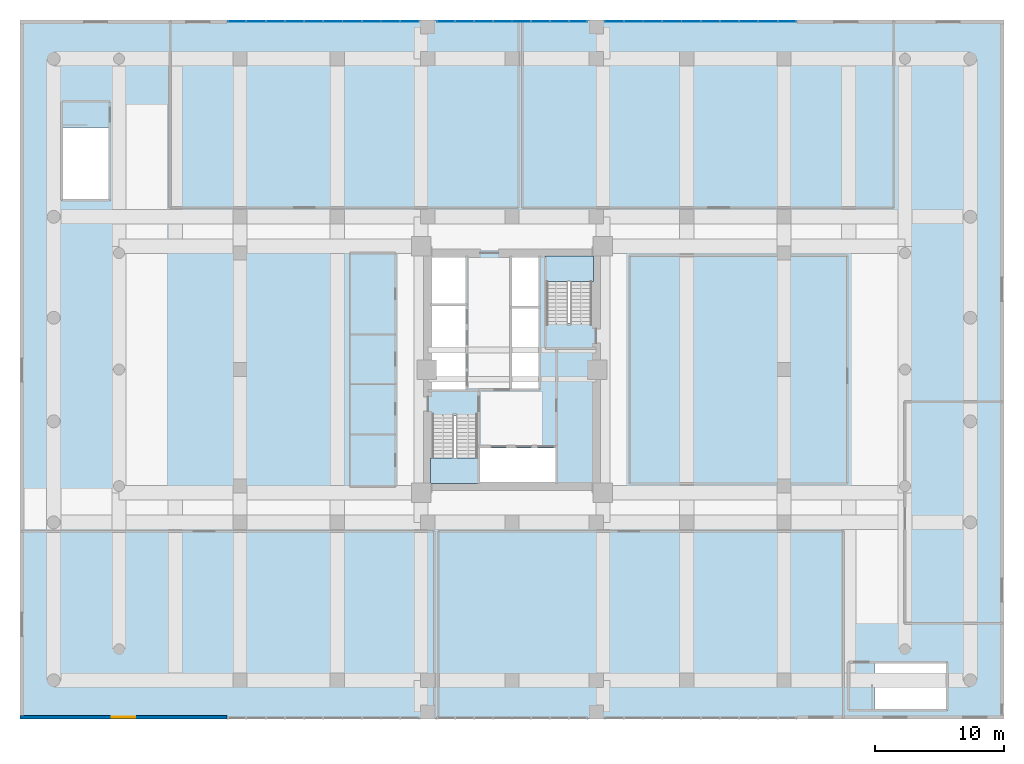
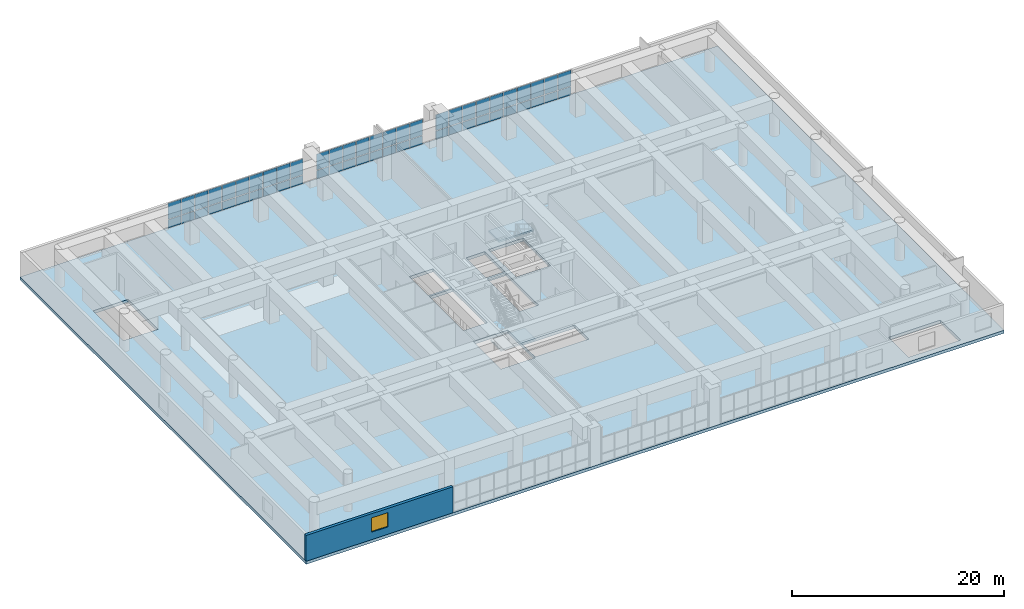
# One storey, part 17 of 28: 56 plates, 3 slabs, 1 wall, 1 window, 1 opening, 5 elements without a shape of their own.
"""IFC4 building model written with IfcOpenShell, lengths in metres."""

import ifcopenshell
import ifcopenshell.guid

model = None  # the IFC model being written
_history = None  # IfcOwnerHistory: only IFC2X3 demands one
_inside = {}  # id of a spatial element -> (the spatial element, [elements in it])
_under = {}  # id of a project, library or spatial element -> (it, [spatial elements below it])
_declared = {}  # id of a project -> (the project, [libraries it declares])
_typed = {}  # id of a type object -> (the type object, [elements of that type])
_made_of = {}  # id of a material, layer set ... -> (it, [elements and type objects made of it])


def new_model(schema):
    """Start an empty IFC model of exactly this schema.

    Asked for "IFC4X3", IfcOpenShell would pick the latest addendum, in which some entities
    have other attributes; the version numbers below select the first issue.
    IFC2X3 requires an IfcOwnerHistory on every rooted entity: one is made here for all.
    """
    global model, _history
    if schema == "IFC4X3":
        model = ifcopenshell.file(schema_version=(4, 3, 0, 0))
    else:
        model = ifcopenshell.file(schema=schema)
    _inside.clear()
    _under.clear()
    _declared.clear()
    _typed.clear()
    _made_of.clear()
    _history = None
    if model.schema == "IFC2X3":
        org = make("IfcOrganization", Name="unknown")
        user = make(
            "IfcPersonAndOrganization",
            ThePerson=make("IfcPerson", FamilyName="unknown"),
            TheOrganization=org,
        )
        app = make(
            "IfcApplication",
            ApplicationDeveloper=org,
            Version="unknown",
            ApplicationFullName="unknown",
            ApplicationIdentifier="unknown",
        )
        _history = make(
            "IfcOwnerHistory",
            OwningUser=user,
            OwningApplication=app,
            ChangeAction="ADDED",
            CreationDate=0,
        )
    return model


def make(cls, **values):
    """One entity of the class cls with the attributes given. An attribute that is None is left unset."""
    return model.create_entity(
        cls, **{name: value for name, value in values.items() if value is not None}
    )


def rooted(cls, **values):
    """An entity with a GlobalId (a new one), such as an element, a storey or a relation."""
    return make(cls, GlobalId=ifcopenshell.guid.new(), OwnerHistory=_history, **values)


def si_unit(unit_type, name, prefix=None):
    """IfcSIUnit, for example si_unit("LENGTHUNIT", "METRE", prefix="MILLI")."""
    return make("IfcSIUnit", UnitType=unit_type, Prefix=prefix, Name=name)


def assignment(units):
    """IfcUnitAssignment: the units of a project."""
    return None if units is None else make("IfcUnitAssignment", Units=units)


def point(xyz):
    """IfcCartesianPoint."""
    return None if xyz is None else make("IfcCartesianPoint", Coordinates=xyz)


def direction(xyz):
    """IfcDirection."""
    return None if xyz is None else make("IfcDirection", DirectionRatios=xyz)


def frame(location, z_axis=None, x_axis=None):
    """IfcAxis2Placement3D, a coordinate frame: its origin and axes. An axis left out is left unset."""
    return make(
        "IfcAxis2Placement3D",
        Location=point(location),
        Axis=direction(z_axis),
        RefDirection=direction(x_axis),
    )


def frame_2d(location, x_axis=None):
    """IfcAxis2Placement2D, a coordinate frame in the plane: its origin and x axis."""
    return make(
        "IfcAxis2Placement2D", Location=point(location), RefDirection=direction(x_axis)
    )


def origin():
    """The frame at (0, 0, 0) with its axes left unset."""
    return frame((0.0, 0.0, 0.0))


def origin_2d():
    """The frame at (0, 0) in the plane with its x axis left unset."""
    return frame_2d((0.0, 0.0))


def place(relative_to, where):
    """IfcLocalPlacement: puts the frame where relative to a parent placement (None: the world)."""
    return make(
        "IfcLocalPlacement", PlacementRelTo=relative_to, RelativePlacement=where
    )


def context(
    kind, dimensions, precision=None, world=None, true_north=None, identifier=None
):
    """IfcGeometricRepresentationContext, for example the 3D "Model" context."""
    return make(
        "IfcGeometricRepresentationContext",
        ContextIdentifier=identifier,
        ContextType=kind,
        CoordinateSpaceDimension=dimensions,
        Precision=precision,
        WorldCoordinateSystem=world,
        TrueNorth=true_north,
    )


def subcontext(parent, identifier, kind, view, scale=None):
    """IfcGeometricRepresentationSubContext, for example "Body" below "Model"."""
    return make(
        "IfcGeometricRepresentationSubContext",
        ContextIdentifier=identifier,
        ContextType=kind,
        ParentContext=parent,
        TargetScale=scale,
        TargetView=view,
    )


def project(units=None, contexts=None):
    """IfcProject with its units and contexts."""
    return rooted(
        "IfcProject",
        Name="project",
        RepresentationContexts=contexts,
        UnitsInContext=assignment(units),
    )


def spatial(cls, under=None, at=None, **own):
    """A site, building, storey or space (cls), placed at a placement, below another one or the project."""
    s = rooted(cls, ObjectPlacement=at, **own)
    if under is not None:
        _under.setdefault(under.id(), (under, []))[1].append(s)
    return s


def polyline(points):
    """IfcPolyline through the points."""
    return make("IfcPolyline", Points=[point(p) for p in points])


def profile(cls, at=None, kind="AREA", **sizes):
    """A parametric profile (cls). Its sizes go by their IFC names, for example OverallWidth=200.0."""
    return make(cls, ProfileType=kind, Position=at, **sizes)


def rectangle(**sizes):
    """IfcRectangleProfileDef."""
    return profile("IfcRectangleProfileDef", **sizes)


def outline(outer, holes=None, kind="AREA"):
    """IfcArbitraryClosedProfileDef: a profile drawn as a closed curve; with holes, ...WithVoids."""
    if holes is None:
        return make("IfcArbitraryClosedProfileDef", ProfileType=kind, OuterCurve=outer)
    return make(
        "IfcArbitraryProfileDefWithVoids",
        ProfileType=kind,
        OuterCurve=outer,
        InnerCurves=holes,
    )


def extrude(swept, where, along, depth):
    """IfcExtrudedAreaSolid: the profile swept, set in the frame where, extruded along a direction by depth."""
    return make(
        "IfcExtrudedAreaSolid",
        SweptArea=swept,
        Position=where,
        ExtrudedDirection=direction(along),
        Depth=depth,
    )


def shape(context_of_items, identifier, shape_type, items):
    """IfcShapeRepresentation: the items that make up one representation, for example the "Body"."""
    return make(
        "IfcShapeRepresentation",
        ContextOfItems=context_of_items,
        RepresentationIdentifier=identifier,
        RepresentationType=shape_type,
        Items=items,
    )


def source(mapping_origin, context_of_items, identifier, shape_type, items):
    """IfcRepresentationMap: a shape defined once, which mapped items show again and again."""
    return make(
        "IfcRepresentationMap",
        MappingOrigin=mapping_origin,
        MappedRepresentation=shape(context_of_items, identifier, shape_type, items),
    )


def transform(
    local_origin,
    x_axis=None,
    y_axis=None,
    z_axis=None,
    scale=None,
    scale2=None,
    scale3=None,
    uniform=True,
):
    """IfcCartesianTransformationOperator3D, or its non-uniform kind. x_axis, y_axis, z_axis: its Axis1, 2, 3."""
    if uniform:
        return make(
            "IfcCartesianTransformationOperator3D",
            Axis1=direction(x_axis),
            Axis2=direction(y_axis),
            LocalOrigin=point(local_origin),
            Scale=scale,
            Axis3=direction(z_axis),
        )
    return make(
        "IfcCartesianTransformationOperator3DnonUniform",
        Axis1=direction(x_axis),
        Axis2=direction(y_axis),
        LocalOrigin=point(local_origin),
        Scale=scale,
        Axis3=direction(z_axis),
        Scale2=scale2,
        Scale3=scale3,
    )


def mapped(mapping_source, mapping_target):
    """IfcMappedItem: shows the shape of a source again, moved by a transform."""
    return make(
        "IfcMappedItem", MappingSource=mapping_source, MappingTarget=mapping_target
    )


def material(Name=None, Category=None):
    """IfcMaterial."""
    return make("IfcMaterial", Name=Name, Category=Category)


def layer(
    of_material, thickness, ventilated=None, Name=None, Category=None, Priority=None
):
    """IfcMaterialLayer: one layer of a wall or slab, of a material (None: an air gap)."""
    return make(
        "IfcMaterialLayer",
        Material=of_material,
        LayerThickness=thickness,
        IsVentilated=ventilated,
        Name=Name,
        Category=Category,
        Priority=Priority,
    )


def layer_set(layers, Name=None):
    """IfcMaterialLayerSet."""
    return make("IfcMaterialLayerSet", MaterialLayers=layers, LayerSetName=Name)


def made_of(thing, what):
    """Note that an element or type object is made of a material, layer set ...; save() writes the relation."""
    if what is not None:
        _made_of.setdefault(what.id(), (what, []))[1].append(thing)
    return thing


def type_object(cls, material=None, **own):
    """A type object (cls), such as IfcWallType, which elements share."""
    return made_of(rooted(cls, **own), material)


def element(
    cls,
    number,
    at=None,
    inside=None,
    cuts=None,
    type_object=None,
    material=None,
    context=None,
    identifier="Body",
    shape_type=None,
    held_by="IfcProductDefinitionShape",
    body=None,
    shapes=None,
    **own,
):
    """One element of the class cls, such as IfcWall. Its Tag is "e" and its number.

    at: its placement. inside: the storey or other place that contains it. cuts: it is an
    opening in that element (IfcRelVoidsElement). A single representation is given by context,
    identifier, shape_type and body (its items); several are given by shapes. held_by: the class
    of the entity that holds the representations. save() writes the other relations.
    """
    e = rooted(cls, Tag="e%d" % number, ObjectPlacement=at, **own)
    if body is not None:
        shapes = [shape(context, identifier, shape_type, body)]
    if shapes is not None:
        e.Representation = make(held_by, Representations=shapes)
    if inside is not None:
        _inside.setdefault(inside.id(), (inside, []))[1].append(e)
    if cuts is not None:
        rooted(
            "IfcRelVoidsElement", RelatingBuildingElement=cuts, RelatedOpeningElement=e
        )
    if type_object is not None:
        _typed.setdefault(type_object.id(), (type_object, []))[1].append(e)
    return made_of(e, material)


def fill(opening, filler):
    """IfcRelFillsElement: the door or window that sits in an opening."""
    return rooted(
        "IfcRelFillsElement",
        RelatingOpeningElement=opening,
        RelatedBuildingElement=filler,
    )


def aggregate(whole, parts):
    """IfcRelAggregates: a whole, such as a stair, and the parts it consists of."""
    return rooted("IfcRelAggregates", RelatingObject=whole, RelatedObjects=parts)


def save(model, path):
    """Write the relations noted so far, then the file.

    IfcRelAggregates (storeys below a building ...), IfcRelContainedInSpatialStructure (elements
    in a storey), IfcRelDefinesByType, IfcRelAssociatesMaterial and IfcRelDeclares: one each for
    every whole, place, type object, material and project.
    """
    for whole, parts in _under.values():
        aggregate(whole, parts)
    for where, things in _inside.values():
        rooted(
            "IfcRelContainedInSpatialStructure",
            RelatedElements=things,
            RelatingStructure=where,
        )
    for kind, things in _typed.values():
        rooted("IfcRelDefinesByType", RelatedObjects=things, RelatingType=kind)
    for what, things in _made_of.values():
        rooted("IfcRelAssociatesMaterial", RelatedObjects=things, RelatingMaterial=what)
    for by, libraries in _declared.values():
        rooted("IfcRelDeclares", RelatingContext=by, RelatedDefinitions=libraries)
    model.write(path)


model = new_model("IFC4")

# Units and contexts
model_context = context("Model", 3, precision=1e-05, world=origin(), true_north=direction((0.0, 1.0)))
body_context = subcontext(model_context, "Body", "Model", "MODEL_VIEW")
ifc_project = project(units=[si_unit("LENGTHUNIT", "METRE"), si_unit("AREAUNIT", "SQUARE_METRE"), si_unit("VOLUMEUNIT", "CUBIC_METRE"), si_unit("PLANEANGLEUNIT", "RADIAN"), si_unit("MASSUNIT", "GRAM", prefix="KILO")], contexts=[model_context])

# Site, building, storey
site_placement = place(None, origin())
site = spatial("IfcSite", under=ifc_project, at=site_placement, CompositionType="ELEMENT")
building_placement = place(site_placement, origin())
building = spatial("IfcBuilding", under=site, at=building_placement, Name="Saelheon Loggia Tower", CompositionType="ELEMENT")
storey_placement = place(building_placement, frame((0.0, 0.0, 15.0)))
storey = spatial("IfcBuildingStorey", under=building, at=storey_placement, Name="L04", CompositionType="ELEMENT", Elevation=15.0)

# Stair, slab
ifc_material_1 = material(Name="Concrete C40/50", Category="concrete")
stair_type = type_object("IfcStairType", Name="Stair_Escape_Core", PredefinedType="HALF_TURN_STAIR", material=ifc_material_1)
stair_1_placement = place(storey_placement, origin())
stair_1 = element("IfcStair", 1, at=stair_1_placement, inside=storey, type_object=stair_type, Name="L04 Special Escape Stair ST1", PredefinedType="HALF_TURN_STAIR")
ifc_layer_1 = layer(ifc_material_1, 0.199951171875)
ifc_layer_set_1 = layer_set([ifc_layer_1], Name="Concrete C40/50")
slab_type_1 = type_object("IfcSlabType", Name="Slab_StairLanding_ST1", PredefinedType="LANDING", material=ifc_layer_set_1)
slab_1_placement = place(storey_placement, frame((0.0, 0.0, 2.0)))
slab_1 = element("IfcSlab", 2, at=slab_1_placement, type_object=slab_type_1, Name="ST1 landing 1", PredefinedType="LANDING", context=body_context, shape_type="SweptSolid", body=[
    extrude(outline(polyline([(31.7099609375, 20.18994140625), (31.7099609375, 18.2099609375), (35.469970703125, 18.2099609375), (35.469970703125, 20.18994140625), (31.7099609375, 20.18994140625)])), origin(), (0.0, 0.0, 1.0), 0.199951171875),
])
aggregate(stair_1, [slab_1])

stair_2_placement = place(storey_placement, origin())
stair_2 = element("IfcStair", 3, at=stair_2_placement, inside=storey, type_object=stair_type, Name="L04 Special Escape Stair ST2", PredefinedType="HALF_TURN_STAIR")
ifc_layer_2 = layer(ifc_material_1, 0.199951171875)
ifc_layer_set_2 = layer_set([ifc_layer_2], Name="Concrete C40/50")
slab_type_2 = type_object("IfcSlabType", Name="Slab_StairLanding_ST2", PredefinedType="LANDING", material=ifc_layer_set_2)
slab_2_placement = place(storey_placement, frame((0.0, 0.0, 2.0)))
slab_2 = element("IfcSlab", 4, at=slab_2_placement, type_object=slab_type_2, Name="ST2 landing 1", PredefinedType="LANDING", context=body_context, shape_type="SweptSolid", body=[
    extrude(outline(polyline([(44.2900390625, 33.81005859375), (44.2900390625, 35.7900390625), (40.530029296875, 35.7900390625), (40.530029296875, 33.81005859375), (44.2900390625, 33.81005859375)])), origin(), (0.0, 0.0, 1.0), 0.199951171875),
])
aggregate(stair_2, [slab_2])

# Slab
ifc_material_2 = material(Name="Concrete C50/60", Category="concrete")
ifc_layer_3 = layer(ifc_material_2, 0.35009765625)
ifc_layer_set_3 = layer_set([ifc_layer_3], Name="Concrete C50/60")
slab_type_3 = type_object("IfcSlabType", Name="Slab_Transfer_350", PredefinedType="FLOOR", material=ifc_layer_set_3)
slab_3_placement = place(storey_placement, frame((0.0, 0.0, -0.35009765625)))
element("IfcSlab", 5, at=slab_3_placement, inside=storey, type_object=slab_type_3, Name="L04 Podium Clinic Floor Slab", PredefinedType="FLOOR", context=body_context, shape_type="SweptSolid", body=[
    extrude(outline(polyline([(0.0, 0.0), (76.0, 0.0), (76.0, 54.0), (0.0, 54.0), (0.0, 0.0)]), holes=[polyline([(31.699951171875, 23.409912109375), (31.699951171875, 18.199951171875), (35.47998046875, 18.199951171875), (35.47998046875, 23.409912109375), (31.699951171875, 23.409912109375)]), polyline([(44.300048828125, 30.590087890625), (44.300048828125, 35.800048828125), (40.52001953125, 35.800048828125), (40.52001953125, 30.590087890625), (44.300048828125, 30.590087890625)]), polyline([(3.199951171875, 45.7099609375), (3.199951171875, 40.050048828125), (6.97998046875, 40.050048828125), (6.97998046875, 45.7099609375), (3.199951171875, 45.7099609375)]), polyline([(65.989990234375, 0.64990234375), (71.64990234375, 0.64990234375), (71.64990234375, 4.429931640625), (65.989990234375, 4.429931640625), (65.989990234375, 0.64990234375)]), polyline([(35.530029296875, 18.324951171875), (41.35009765625, 18.324951171875), (41.35009765625, 20.9599609375), (35.530029296875, 20.9599609375), (35.530029296875, 18.324951171875)]), polyline([(31.824951171875, 32.1201171875), (34.419921875, 32.1201171875), (34.419921875, 35.675048828125), (31.824951171875, 35.675048828125), (31.824951171875, 32.1201171875)]), polyline([(38.0, 31.89990234375), (40.050048828125, 31.89990234375), (40.050048828125, 35.675048828125), (38.0, 35.675048828125), (38.0, 31.89990234375)]), polyline([(31.824951171875, 25.449951171875), (34.419921875, 25.449951171875), (34.419921875, 31.919921875), (31.824951171875, 31.919921875), (31.824951171875, 25.449951171875)]), polyline([(38.0, 25.5400390625), (40.050048828125, 25.5400390625), (40.050048828125, 31.699951171875), (38.0, 31.699951171875), (38.0, 25.5400390625)])]), origin(), (0.0, 0.0, 1.0), 0.35009765625),
])

# Curtain wall, plates
ifc_material_3 = material(Name="Aluminium 6063-T6 and Low-E IGU", Category="aluminium")
ifc_layer_4 = layer(ifc_material_3, 0.179931640625)
ifc_layer_set_4 = layer_set([ifc_layer_4], Name="Aluminium 6063-T6 and Low-E IGU")
curtain_wall_type = type_object("IfcCurtainWallType", Name="CW_PodiumClinic", PredefinedType="NOTDEFINED", material=ifc_layer_set_4)
curtain_wall_1_placement = place(storey_placement, origin())
curtain_wall_1 = element("IfcCurtainWall", 6, at=curtain_wall_1_placement, inside=storey, type_object=curtain_wall_type, Name="L04 North Clinic Curtain Wall 1", PredefinedType="NOTDEFINED")
ifc_material_4 = material(Name="Triple Low-E Laminated Glazing", Category="glass")
ifc_layer_5 = layer(ifc_material_4, 0.031982421875)
ifc_layer_set_5 = layer_set([ifc_layer_5], Name="Triple Low-E Laminated Glazing")
plate_type = type_object("IfcPlateType", Name="CW_PodiumClinic_Panel", PredefinedType="CURTAIN_PANEL", material=ifc_layer_set_5)
shared_shape_1 = source(origin(), body_context, "Body", "SweptSolid", [
    extrude(rectangle(XDim=1.3798828125, YDim=0.031982421875, at=origin_2d()), origin(), (0.0, 0.0, 1.0), 0.945068359375),
])
plate_1_placement = place(storey_placement, frame((16.760009765625, 53.89990234375, 0.06982421875), z_axis=(0.0, 0.0, 1.0), x_axis=(1.0, 0.0, 0.0)))
plate_1 = element("IfcPlate", 7, at=plate_1_placement, type_object=plate_type, Name="CW1 panel 1.1", PredefinedType="CURTAIN_PANEL", context=body_context, shape_type="MappedRepresentation", body=[
    mapped(shared_shape_1, transform((0.0, 0.0, 0.0), scale=1.0)),
])
plate_2_placement = place(storey_placement, frame((30.090087890625, 53.89990234375, 0.06982421875), z_axis=(0.0, 0.0, 1.0), x_axis=(1.0, 0.0, 0.0)))
plate_2 = element("IfcPlate", 8, at=plate_2_placement, type_object=plate_type, Name="CW1 panel 10.1", PredefinedType="CURTAIN_PANEL", context=body_context, shape_type="MappedRepresentation", body=[
    mapped(shared_shape_1, transform((0.0, 0.0, 0.0), scale=1.0)),
])

curtain_wall_2_placement = place(storey_placement, origin())
curtain_wall_2 = element("IfcCurtainWall", 9, at=curtain_wall_2_placement, inside=storey, type_object=curtain_wall_type, Name="L04 North Clinic Curtain Wall 3", PredefinedType="NOTDEFINED")
plate_3_placement = place(storey_placement, frame((45.909912109375, 53.89990234375, 0.06982421875), z_axis=(0.0, 0.0, 1.0), x_axis=(1.0, 0.0, 0.0)))
plate_3 = element("IfcPlate", 10, at=plate_3_placement, type_object=plate_type, Name="CW1 panel 1.1", PredefinedType="CURTAIN_PANEL", context=body_context, shape_type="MappedRepresentation", body=[
    mapped(shared_shape_1, transform((0.0, 0.0, 0.0), scale=1.0)),
])
plate_4_placement = place(storey_placement, frame((59.239990234375, 53.89990234375, 0.06982421875), z_axis=(0.0, 0.0, 1.0), x_axis=(1.0, 0.0, 0.0)))
plate_4 = element("IfcPlate", 11, at=plate_4_placement, type_object=plate_type, Name="CW1 panel 10.1", PredefinedType="CURTAIN_PANEL", context=body_context, shape_type="MappedRepresentation", body=[
    mapped(shared_shape_1, transform((0.0, 0.0, 0.0), scale=1.0)),
])

# Plate
shared_shape_2 = source(origin(), body_context, "Body", "SweptSolid", [
    extrude(rectangle(XDim=1.4150390625, YDim=0.031982421875, at=origin_2d()), origin(), (0.0, 0.0, 1.0), 0.945068359375),
])
plate_5_placement = place(storey_placement, frame((18.2275390625, 53.89990234375, 0.06982421875), z_axis=(0.0, 0.0, 1.0), x_axis=(1.0, 0.0, 0.0)))
plate_5 = element("IfcPlate", 12, at=plate_5_placement, type_object=plate_type, Name="CW1 panel 2.1", PredefinedType="CURTAIN_PANEL", context=body_context, shape_type="MappedRepresentation", body=[
    mapped(shared_shape_2, transform((0.0, 0.0, 0.0), scale=1.0)),
])

plate_6_placement = place(storey_placement, frame((19.71240234375, 53.89990234375, 0.06982421875), z_axis=(0.0, 0.0, 1.0), x_axis=(1.0, 0.0, 0.0)))
plate_6 = element("IfcPlate", 13, at=plate_6_placement, type_object=plate_type, Name="CW1 panel 3.1", PredefinedType="CURTAIN_PANEL", context=body_context, shape_type="MappedRepresentation", body=[
    mapped(shared_shape_2, transform((0.0, 0.0, 0.0), scale=1.0)),
])

plate_7_placement = place(storey_placement, frame((21.197509765625, 53.89990234375, 0.06982421875), z_axis=(0.0, 0.0, 1.0), x_axis=(1.0, 0.0, 0.0)))
plate_7 = element("IfcPlate", 14, at=plate_7_placement, type_object=plate_type, Name="CW1 panel 4.1", PredefinedType="CURTAIN_PANEL", context=body_context, shape_type="MappedRepresentation", body=[
    mapped(shared_shape_2, transform((0.0, 0.0, 0.0), scale=1.0)),
])

plate_8_placement = place(storey_placement, frame((22.6826171875, 53.89990234375, 0.06982421875), z_axis=(0.0, 0.0, 1.0), x_axis=(1.0, 0.0, 0.0)))
plate_8 = element("IfcPlate", 15, at=plate_8_placement, type_object=plate_type, Name="CW1 panel 5.1", PredefinedType="CURTAIN_PANEL", context=body_context, shape_type="MappedRepresentation", body=[
    mapped(shared_shape_2, transform((0.0, 0.0, 0.0), scale=1.0)),
])

plate_9_placement = place(storey_placement, frame((24.16748046875, 53.89990234375, 0.06982421875), z_axis=(0.0, 0.0, 1.0), x_axis=(1.0, 0.0, 0.0)))
plate_9 = element("IfcPlate", 16, at=plate_9_placement, type_object=plate_type, Name="CW1 panel 6.1", PredefinedType="CURTAIN_PANEL", context=body_context, shape_type="MappedRepresentation", body=[
    mapped(shared_shape_2, transform((0.0, 0.0, 0.0), scale=1.0)),
])

plate_10_placement = place(storey_placement, frame((25.652587890625, 53.89990234375, 0.06982421875), z_axis=(0.0, 0.0, 1.0), x_axis=(1.0, 0.0, 0.0)))
plate_10 = element("IfcPlate", 17, at=plate_10_placement, type_object=plate_type, Name="CW1 panel 7.1", PredefinedType="CURTAIN_PANEL", context=body_context, shape_type="MappedRepresentation", body=[
    mapped(shared_shape_2, transform((0.0, 0.0, 0.0), scale=1.0)),
])

plate_11_placement = place(storey_placement, frame((27.137451171875, 53.89990234375, 0.06982421875), z_axis=(0.0, 0.0, 1.0), x_axis=(1.0, 0.0, 0.0)))
plate_11 = element("IfcPlate", 18, at=plate_11_placement, type_object=plate_type, Name="CW1 panel 8.1", PredefinedType="CURTAIN_PANEL", context=body_context, shape_type="MappedRepresentation", body=[
    mapped(shared_shape_2, transform((0.0, 0.0, 0.0), scale=1.0)),
])

plate_12_placement = place(storey_placement, frame((28.62255859375, 53.89990234375, 0.06982421875), z_axis=(0.0, 0.0, 1.0), x_axis=(1.0, 0.0, 0.0)))
plate_12 = element("IfcPlate", 19, at=plate_12_placement, type_object=plate_type, Name="CW1 panel 9.1", PredefinedType="CURTAIN_PANEL", context=body_context, shape_type="MappedRepresentation", body=[
    mapped(shared_shape_2, transform((0.0, 0.0, 0.0), scale=1.0)),
])

plate_13_placement = place(storey_placement, frame((47.37744140625, 53.89990234375, 0.06982421875), z_axis=(0.0, 0.0, 1.0), x_axis=(1.0, 0.0, 0.0)))
plate_13 = element("IfcPlate", 20, at=plate_13_placement, type_object=plate_type, Name="CW1 panel 2.1", PredefinedType="CURTAIN_PANEL", context=body_context, shape_type="MappedRepresentation", body=[
    mapped(shared_shape_2, transform((0.0, 0.0, 0.0), scale=1.0)),
])

plate_14_placement = place(storey_placement, frame((48.862548828125, 53.89990234375, 0.06982421875), z_axis=(0.0, 0.0, 1.0), x_axis=(1.0, 0.0, 0.0)))
plate_14 = element("IfcPlate", 21, at=plate_14_placement, type_object=plate_type, Name="CW1 panel 3.1", PredefinedType="CURTAIN_PANEL", context=body_context, shape_type="MappedRepresentation", body=[
    mapped(shared_shape_2, transform((0.0, 0.0, 0.0), scale=1.0)),
])

plate_15_placement = place(storey_placement, frame((50.347412109375, 53.89990234375, 0.06982421875), z_axis=(0.0, 0.0, 1.0), x_axis=(1.0, 0.0, 0.0)))
plate_15 = element("IfcPlate", 22, at=plate_15_placement, type_object=plate_type, Name="CW1 panel 4.1", PredefinedType="CURTAIN_PANEL", context=body_context, shape_type="MappedRepresentation", body=[
    mapped(shared_shape_2, transform((0.0, 0.0, 0.0), scale=1.0)),
])

plate_16_placement = place(storey_placement, frame((51.83251953125, 53.89990234375, 0.06982421875), z_axis=(0.0, 0.0, 1.0), x_axis=(1.0, 0.0, 0.0)))
plate_16 = element("IfcPlate", 23, at=plate_16_placement, type_object=plate_type, Name="CW1 panel 5.1", PredefinedType="CURTAIN_PANEL", context=body_context, shape_type="MappedRepresentation", body=[
    mapped(shared_shape_2, transform((0.0, 0.0, 0.0), scale=1.0)),
])

plate_17_placement = place(storey_placement, frame((53.3173828125, 53.89990234375, 0.06982421875), z_axis=(0.0, 0.0, 1.0), x_axis=(1.0, 0.0, 0.0)))
plate_17 = element("IfcPlate", 24, at=plate_17_placement, type_object=plate_type, Name="CW1 panel 6.1", PredefinedType="CURTAIN_PANEL", context=body_context, shape_type="MappedRepresentation", body=[
    mapped(shared_shape_2, transform((0.0, 0.0, 0.0), scale=1.0)),
])

plate_18_placement = place(storey_placement, frame((54.802490234375, 53.89990234375, 0.06982421875), z_axis=(0.0, 0.0, 1.0), x_axis=(1.0, 0.0, 0.0)))
plate_18 = element("IfcPlate", 25, at=plate_18_placement, type_object=plate_type, Name="CW1 panel 7.1", PredefinedType="CURTAIN_PANEL", context=body_context, shape_type="MappedRepresentation", body=[
    mapped(shared_shape_2, transform((0.0, 0.0, 0.0), scale=1.0)),
])

plate_19_placement = place(storey_placement, frame((56.28759765625, 53.89990234375, 0.06982421875), z_axis=(0.0, 0.0, 1.0), x_axis=(1.0, 0.0, 0.0)))
plate_19 = element("IfcPlate", 26, at=plate_19_placement, type_object=plate_type, Name="CW1 panel 8.1", PredefinedType="CURTAIN_PANEL", context=body_context, shape_type="MappedRepresentation", body=[
    mapped(shared_shape_2, transform((0.0, 0.0, 0.0), scale=1.0)),
])

plate_20_placement = place(storey_placement, frame((57.7724609375, 53.89990234375, 0.06982421875), z_axis=(0.0, 0.0, 1.0), x_axis=(1.0, 0.0, 0.0)))
plate_20 = element("IfcPlate", 27, at=plate_20_placement, type_object=plate_type, Name="CW1 panel 9.1", PredefinedType="CURTAIN_PANEL", context=body_context, shape_type="MappedRepresentation", body=[
    mapped(shared_shape_2, transform((0.0, 0.0, 0.0), scale=1.0)),
])

# Curtain wall, plates
curtain_wall_3_placement = place(storey_placement, origin())
curtain_wall_3 = element("IfcCurtainWall", 28, at=curtain_wall_3_placement, inside=storey, type_object=curtain_wall_type, Name="L04 North Clinic Curtain Wall 2", PredefinedType="NOTDEFINED")
shared_shape_3 = source(origin(), body_context, "Body", "SweptSolid", [
    extrude(rectangle(XDim=1.357421875, YDim=0.031982421875, at=origin_2d()), origin(), (0.0, 0.0, 1.0), 0.945068359375),
])
plate_21_placement = place(storey_placement, frame((32.898681640625, 53.89990234375, 0.06982421875), z_axis=(0.0, 0.0, 1.0), x_axis=(1.0, 0.0, 0.0)))
plate_21 = element("IfcPlate", 29, at=plate_21_placement, type_object=plate_type, Name="CW1 panel 1.1", PredefinedType="CURTAIN_PANEL", context=body_context, shape_type="MappedRepresentation", body=[
    mapped(shared_shape_3, transform((0.0, 0.0, 0.0), scale=1.0)),
])
plate_22_placement = place(storey_placement, frame((43.101318359375, 53.89990234375, 0.06982421875), z_axis=(0.0, 0.0, 1.0), x_axis=(1.0, 0.0, 0.0)))
plate_22 = element("IfcPlate", 30, at=plate_22_placement, type_object=plate_type, Name="CW1 panel 8.1", PredefinedType="CURTAIN_PANEL", context=body_context, shape_type="MappedRepresentation", body=[
    mapped(shared_shape_3, transform((0.0, 0.0, 0.0), scale=1.0)),
])
shared_shape_4 = source(origin(), body_context, "Body", "SweptSolid", [
    extrude(rectangle(XDim=1.392578125, YDim=0.031982421875, at=origin_2d()), origin(), (0.0, 0.0, 1.0), 0.945068359375),
])
plate_23_placement = place(storey_placement, frame((34.34375, 53.89990234375, 0.06982421875), z_axis=(0.0, 0.0, 1.0), x_axis=(1.0, 0.0, 0.0)))
plate_23 = element("IfcPlate", 31, at=plate_23_placement, type_object=plate_type, Name="CW1 panel 2.1", PredefinedType="CURTAIN_PANEL", context=body_context, shape_type="MappedRepresentation", body=[
    mapped(shared_shape_4, transform((0.0, 0.0, 0.0), scale=1.0)),
])
plate_24_placement = place(storey_placement, frame((35.80615234375, 53.89990234375, 0.06982421875), z_axis=(0.0, 0.0, 1.0), x_axis=(1.0, 0.0, 0.0)))
plate_24 = element("IfcPlate", 32, at=plate_24_placement, type_object=plate_type, Name="CW1 panel 3.1", PredefinedType="CURTAIN_PANEL", context=body_context, shape_type="MappedRepresentation", body=[
    mapped(shared_shape_4, transform((0.0, 0.0, 0.0), scale=1.0)),
])
plate_25_placement = place(storey_placement, frame((37.268798828125, 53.89990234375, 0.06982421875), z_axis=(0.0, 0.0, 1.0), x_axis=(1.0, 0.0, 0.0)))
plate_25 = element("IfcPlate", 33, at=plate_25_placement, type_object=plate_type, Name="CW1 panel 4.1", PredefinedType="CURTAIN_PANEL", context=body_context, shape_type="MappedRepresentation", body=[
    mapped(shared_shape_4, transform((0.0, 0.0, 0.0), scale=1.0)),
])
plate_26_placement = place(storey_placement, frame((38.731201171875, 53.89990234375, 0.06982421875), z_axis=(0.0, 0.0, 1.0), x_axis=(1.0, 0.0, 0.0)))
plate_26 = element("IfcPlate", 34, at=plate_26_placement, type_object=plate_type, Name="CW1 panel 5.1", PredefinedType="CURTAIN_PANEL", context=body_context, shape_type="MappedRepresentation", body=[
    mapped(shared_shape_4, transform((0.0, 0.0, 0.0), scale=1.0)),
])
plate_27_placement = place(storey_placement, frame((40.19384765625, 53.89990234375, 0.06982421875), z_axis=(0.0, 0.0, 1.0), x_axis=(1.0, 0.0, 0.0)))
plate_27 = element("IfcPlate", 35, at=plate_27_placement, type_object=plate_type, Name="CW1 panel 6.1", PredefinedType="CURTAIN_PANEL", context=body_context, shape_type="MappedRepresentation", body=[
    mapped(shared_shape_4, transform((0.0, 0.0, 0.0), scale=1.0)),
])
plate_28_placement = place(storey_placement, frame((41.65625, 53.89990234375, 0.06982421875), z_axis=(0.0, 0.0, 1.0), x_axis=(1.0, 0.0, 0.0)))
plate_28 = element("IfcPlate", 36, at=plate_28_placement, type_object=plate_type, Name="CW1 panel 7.1", PredefinedType="CURTAIN_PANEL", context=body_context, shape_type="MappedRepresentation", body=[
    mapped(shared_shape_4, transform((0.0, 0.0, 0.0), scale=1.0)),
])

# Plate
shared_shape_5 = source(origin(), body_context, "Body", "SweptSolid", [
    extrude(rectangle(XDim=1.3798828125, YDim=0.031982421875, at=origin_2d()), origin(), (0.0, 0.0, 1.0), 1.824951171875),
])
plate_29_placement = place(storey_placement, frame((16.760009765625, 53.89990234375, 1.0849609375), z_axis=(0.0, 0.0, 1.0), x_axis=(1.0, 0.0, 0.0)))
plate_29 = element("IfcPlate", 37, at=plate_29_placement, type_object=plate_type, Name="CW1 panel 1.2", PredefinedType="CURTAIN_PANEL", context=body_context, shape_type="MappedRepresentation", body=[
    mapped(shared_shape_5, transform((0.0, 0.0, 0.0), scale=1.0)),
])

plate_30_placement = place(storey_placement, frame((30.090087890625, 53.89990234375, 1.0849609375), z_axis=(0.0, 0.0, 1.0), x_axis=(1.0, 0.0, 0.0)))
plate_30 = element("IfcPlate", 38, at=plate_30_placement, type_object=plate_type, Name="CW1 panel 10.2", PredefinedType="CURTAIN_PANEL", context=body_context, shape_type="MappedRepresentation", body=[
    mapped(shared_shape_5, transform((0.0, 0.0, 0.0), scale=1.0)),
])

plate_31_placement = place(storey_placement, frame((45.909912109375, 53.89990234375, 1.0849609375), z_axis=(0.0, 0.0, 1.0), x_axis=(1.0, 0.0, 0.0)))
plate_31 = element("IfcPlate", 39, at=plate_31_placement, type_object=plate_type, Name="CW1 panel 1.2", PredefinedType="CURTAIN_PANEL", context=body_context, shape_type="MappedRepresentation", body=[
    mapped(shared_shape_5, transform((0.0, 0.0, 0.0), scale=1.0)),
])

plate_32_placement = place(storey_placement, frame((59.239990234375, 53.89990234375, 1.0849609375), z_axis=(0.0, 0.0, 1.0), x_axis=(1.0, 0.0, 0.0)))
plate_32 = element("IfcPlate", 40, at=plate_32_placement, type_object=plate_type, Name="CW1 panel 10.2", PredefinedType="CURTAIN_PANEL", context=body_context, shape_type="MappedRepresentation", body=[
    mapped(shared_shape_5, transform((0.0, 0.0, 0.0), scale=1.0)),
])

shared_shape_6 = source(origin(), body_context, "Body", "SweptSolid", [
    extrude(rectangle(XDim=1.4150390625, YDim=0.031982421875, at=origin_2d()), origin(), (0.0, 0.0, 1.0), 1.824951171875),
])
plate_33_placement = place(storey_placement, frame((18.2275390625, 53.89990234375, 1.0849609375), z_axis=(0.0, 0.0, 1.0), x_axis=(1.0, 0.0, 0.0)))
plate_33 = element("IfcPlate", 41, at=plate_33_placement, type_object=plate_type, Name="CW1 panel 2.2", PredefinedType="CURTAIN_PANEL", context=body_context, shape_type="MappedRepresentation", body=[
    mapped(shared_shape_6, transform((0.0, 0.0, 0.0), scale=1.0)),
])

plate_34_placement = place(storey_placement, frame((19.71240234375, 53.89990234375, 1.0849609375), z_axis=(0.0, 0.0, 1.0), x_axis=(1.0, 0.0, 0.0)))
plate_34 = element("IfcPlate", 42, at=plate_34_placement, type_object=plate_type, Name="CW1 panel 3.2", PredefinedType="CURTAIN_PANEL", context=body_context, shape_type="MappedRepresentation", body=[
    mapped(shared_shape_6, transform((0.0, 0.0, 0.0), scale=1.0)),
])

plate_35_placement = place(storey_placement, frame((21.197509765625, 53.89990234375, 1.0849609375), z_axis=(0.0, 0.0, 1.0), x_axis=(1.0, 0.0, 0.0)))
plate_35 = element("IfcPlate", 43, at=plate_35_placement, type_object=plate_type, Name="CW1 panel 4.2", PredefinedType="CURTAIN_PANEL", context=body_context, shape_type="MappedRepresentation", body=[
    mapped(shared_shape_6, transform((0.0, 0.0, 0.0), scale=1.0)),
])

plate_36_placement = place(storey_placement, frame((22.6826171875, 53.89990234375, 1.0849609375), z_axis=(0.0, 0.0, 1.0), x_axis=(1.0, 0.0, 0.0)))
plate_36 = element("IfcPlate", 44, at=plate_36_placement, type_object=plate_type, Name="CW1 panel 5.2", PredefinedType="CURTAIN_PANEL", context=body_context, shape_type="MappedRepresentation", body=[
    mapped(shared_shape_6, transform((0.0, 0.0, 0.0), scale=1.0)),
])

plate_37_placement = place(storey_placement, frame((24.16748046875, 53.89990234375, 1.0849609375), z_axis=(0.0, 0.0, 1.0), x_axis=(1.0, 0.0, 0.0)))
plate_37 = element("IfcPlate", 45, at=plate_37_placement, type_object=plate_type, Name="CW1 panel 6.2", PredefinedType="CURTAIN_PANEL", context=body_context, shape_type="MappedRepresentation", body=[
    mapped(shared_shape_6, transform((0.0, 0.0, 0.0), scale=1.0)),
])

plate_38_placement = place(storey_placement, frame((25.652587890625, 53.89990234375, 1.0849609375), z_axis=(0.0, 0.0, 1.0), x_axis=(1.0, 0.0, 0.0)))
plate_38 = element("IfcPlate", 46, at=plate_38_placement, type_object=plate_type, Name="CW1 panel 7.2", PredefinedType="CURTAIN_PANEL", context=body_context, shape_type="MappedRepresentation", body=[
    mapped(shared_shape_6, transform((0.0, 0.0, 0.0), scale=1.0)),
])

plate_39_placement = place(storey_placement, frame((27.137451171875, 53.89990234375, 1.0849609375), z_axis=(0.0, 0.0, 1.0), x_axis=(1.0, 0.0, 0.0)))
plate_39 = element("IfcPlate", 47, at=plate_39_placement, type_object=plate_type, Name="CW1 panel 8.2", PredefinedType="CURTAIN_PANEL", context=body_context, shape_type="MappedRepresentation", body=[
    mapped(shared_shape_6, transform((0.0, 0.0, 0.0), scale=1.0)),
])

plate_40_placement = place(storey_placement, frame((28.62255859375, 53.89990234375, 1.0849609375), z_axis=(0.0, 0.0, 1.0), x_axis=(1.0, 0.0, 0.0)))
plate_40 = element("IfcPlate", 48, at=plate_40_placement, type_object=plate_type, Name="CW1 panel 9.2", PredefinedType="CURTAIN_PANEL", context=body_context, shape_type="MappedRepresentation", body=[
    mapped(shared_shape_6, transform((0.0, 0.0, 0.0), scale=1.0)),
])

aggregate(curtain_wall_1, [plate_1, plate_29, plate_5, plate_33, plate_6, plate_34, plate_7, plate_35, plate_8, plate_36, plate_9, plate_37, plate_10, plate_38, plate_11, plate_39, plate_12, plate_40, plate_2, plate_30])

plate_41_placement = place(storey_placement, frame((47.37744140625, 53.89990234375, 1.0849609375), z_axis=(0.0, 0.0, 1.0), x_axis=(1.0, 0.0, 0.0)))
plate_41 = element("IfcPlate", 49, at=plate_41_placement, type_object=plate_type, Name="CW1 panel 2.2", PredefinedType="CURTAIN_PANEL", context=body_context, shape_type="MappedRepresentation", body=[
    mapped(shared_shape_6, transform((0.0, 0.0, 0.0), scale=1.0)),
])

plate_42_placement = place(storey_placement, frame((48.862548828125, 53.89990234375, 1.0849609375), z_axis=(0.0, 0.0, 1.0), x_axis=(1.0, 0.0, 0.0)))
plate_42 = element("IfcPlate", 50, at=plate_42_placement, type_object=plate_type, Name="CW1 panel 3.2", PredefinedType="CURTAIN_PANEL", context=body_context, shape_type="MappedRepresentation", body=[
    mapped(shared_shape_6, transform((0.0, 0.0, 0.0), scale=1.0)),
])

plate_43_placement = place(storey_placement, frame((50.347412109375, 53.89990234375, 1.0849609375), z_axis=(0.0, 0.0, 1.0), x_axis=(1.0, 0.0, 0.0)))
plate_43 = element("IfcPlate", 51, at=plate_43_placement, type_object=plate_type, Name="CW1 panel 4.2", PredefinedType="CURTAIN_PANEL", context=body_context, shape_type="MappedRepresentation", body=[
    mapped(shared_shape_6, transform((0.0, 0.0, 0.0), scale=1.0)),
])

plate_44_placement = place(storey_placement, frame((51.83251953125, 53.89990234375, 1.0849609375), z_axis=(0.0, 0.0, 1.0), x_axis=(1.0, 0.0, 0.0)))
plate_44 = element("IfcPlate", 52, at=plate_44_placement, type_object=plate_type, Name="CW1 panel 5.2", PredefinedType="CURTAIN_PANEL", context=body_context, shape_type="MappedRepresentation", body=[
    mapped(shared_shape_6, transform((0.0, 0.0, 0.0), scale=1.0)),
])

plate_45_placement = place(storey_placement, frame((53.3173828125, 53.89990234375, 1.0849609375), z_axis=(0.0, 0.0, 1.0), x_axis=(1.0, 0.0, 0.0)))
plate_45 = element("IfcPlate", 53, at=plate_45_placement, type_object=plate_type, Name="CW1 panel 6.2", PredefinedType="CURTAIN_PANEL", context=body_context, shape_type="MappedRepresentation", body=[
    mapped(shared_shape_6, transform((0.0, 0.0, 0.0), scale=1.0)),
])

plate_46_placement = place(storey_placement, frame((54.802490234375, 53.89990234375, 1.0849609375), z_axis=(0.0, 0.0, 1.0), x_axis=(1.0, 0.0, 0.0)))
plate_46 = element("IfcPlate", 54, at=plate_46_placement, type_object=plate_type, Name="CW1 panel 7.2", PredefinedType="CURTAIN_PANEL", context=body_context, shape_type="MappedRepresentation", body=[
    mapped(shared_shape_6, transform((0.0, 0.0, 0.0), scale=1.0)),
])

plate_47_placement = place(storey_placement, frame((56.28759765625, 53.89990234375, 1.0849609375), z_axis=(0.0, 0.0, 1.0), x_axis=(1.0, 0.0, 0.0)))
plate_47 = element("IfcPlate", 55, at=plate_47_placement, type_object=plate_type, Name="CW1 panel 8.2", PredefinedType="CURTAIN_PANEL", context=body_context, shape_type="MappedRepresentation", body=[
    mapped(shared_shape_6, transform((0.0, 0.0, 0.0), scale=1.0)),
])

plate_48_placement = place(storey_placement, frame((57.7724609375, 53.89990234375, 1.0849609375), z_axis=(0.0, 0.0, 1.0), x_axis=(1.0, 0.0, 0.0)))
plate_48 = element("IfcPlate", 56, at=plate_48_placement, type_object=plate_type, Name="CW1 panel 9.2", PredefinedType="CURTAIN_PANEL", context=body_context, shape_type="MappedRepresentation", body=[
    mapped(shared_shape_6, transform((0.0, 0.0, 0.0), scale=1.0)),
])

aggregate(curtain_wall_2, [plate_3, plate_31, plate_13, plate_41, plate_14, plate_42, plate_15, plate_43, plate_16, plate_44, plate_17, plate_45, plate_18, plate_46, plate_19, plate_47, plate_20, plate_48, plate_4, plate_32])

shared_shape_7 = source(origin(), body_context, "Body", "SweptSolid", [
    extrude(rectangle(XDim=1.357421875, YDim=0.031982421875, at=origin_2d()), origin(), (0.0, 0.0, 1.0), 1.824951171875),
])
plate_49_placement = place(storey_placement, frame((32.898681640625, 53.89990234375, 1.0849609375), z_axis=(0.0, 0.0, 1.0), x_axis=(1.0, 0.0, 0.0)))
plate_49 = element("IfcPlate", 57, at=plate_49_placement, type_object=plate_type, Name="CW1 panel 1.2", PredefinedType="CURTAIN_PANEL", context=body_context, shape_type="MappedRepresentation", body=[
    mapped(shared_shape_7, transform((0.0, 0.0, 0.0), scale=1.0)),
])

plate_50_placement = place(storey_placement, frame((43.101318359375, 53.89990234375, 1.0849609375), z_axis=(0.0, 0.0, 1.0), x_axis=(1.0, 0.0, 0.0)))
plate_50 = element("IfcPlate", 58, at=plate_50_placement, type_object=plate_type, Name="CW1 panel 8.2", PredefinedType="CURTAIN_PANEL", context=body_context, shape_type="MappedRepresentation", body=[
    mapped(shared_shape_7, transform((0.0, 0.0, 0.0), scale=1.0)),
])

shared_shape_8 = source(origin(), body_context, "Body", "SweptSolid", [
    extrude(rectangle(XDim=1.392578125, YDim=0.031982421875, at=origin_2d()), origin(), (0.0, 0.0, 1.0), 1.824951171875),
])
plate_51_placement = place(storey_placement, frame((34.34375, 53.89990234375, 1.0849609375), z_axis=(0.0, 0.0, 1.0), x_axis=(1.0, 0.0, 0.0)))
plate_51 = element("IfcPlate", 59, at=plate_51_placement, type_object=plate_type, Name="CW1 panel 2.2", PredefinedType="CURTAIN_PANEL", context=body_context, shape_type="MappedRepresentation", body=[
    mapped(shared_shape_8, transform((0.0, 0.0, 0.0), scale=1.0)),
])

plate_52_placement = place(storey_placement, frame((35.80615234375, 53.89990234375, 1.0849609375), z_axis=(0.0, 0.0, 1.0), x_axis=(1.0, 0.0, 0.0)))
plate_52 = element("IfcPlate", 60, at=plate_52_placement, type_object=plate_type, Name="CW1 panel 3.2", PredefinedType="CURTAIN_PANEL", context=body_context, shape_type="MappedRepresentation", body=[
    mapped(shared_shape_8, transform((0.0, 0.0, 0.0), scale=1.0)),
])

plate_53_placement = place(storey_placement, frame((37.268798828125, 53.89990234375, 1.0849609375), z_axis=(0.0, 0.0, 1.0), x_axis=(1.0, 0.0, 0.0)))
plate_53 = element("IfcPlate", 61, at=plate_53_placement, type_object=plate_type, Name="CW1 panel 4.2", PredefinedType="CURTAIN_PANEL", context=body_context, shape_type="MappedRepresentation", body=[
    mapped(shared_shape_8, transform((0.0, 0.0, 0.0), scale=1.0)),
])

plate_54_placement = place(storey_placement, frame((38.731201171875, 53.89990234375, 1.0849609375), z_axis=(0.0, 0.0, 1.0), x_axis=(1.0, 0.0, 0.0)))
plate_54 = element("IfcPlate", 62, at=plate_54_placement, type_object=plate_type, Name="CW1 panel 5.2", PredefinedType="CURTAIN_PANEL", context=body_context, shape_type="MappedRepresentation", body=[
    mapped(shared_shape_8, transform((0.0, 0.0, 0.0), scale=1.0)),
])

plate_55_placement = place(storey_placement, frame((40.19384765625, 53.89990234375, 1.0849609375), z_axis=(0.0, 0.0, 1.0), x_axis=(1.0, 0.0, 0.0)))
plate_55 = element("IfcPlate", 63, at=plate_55_placement, type_object=plate_type, Name="CW1 panel 6.2", PredefinedType="CURTAIN_PANEL", context=body_context, shape_type="MappedRepresentation", body=[
    mapped(shared_shape_8, transform((0.0, 0.0, 0.0), scale=1.0)),
])

plate_56_placement = place(storey_placement, frame((41.65625, 53.89990234375, 1.0849609375), z_axis=(0.0, 0.0, 1.0), x_axis=(1.0, 0.0, 0.0)))
plate_56 = element("IfcPlate", 64, at=plate_56_placement, type_object=plate_type, Name="CW1 panel 7.2", PredefinedType="CURTAIN_PANEL", context=body_context, shape_type="MappedRepresentation", body=[
    mapped(shared_shape_8, transform((0.0, 0.0, 0.0), scale=1.0)),
])

aggregate(curtain_wall_3, [plate_21, plate_49, plate_23, plate_51, plate_24, plate_52, plate_25, plate_53, plate_26, plate_54, plate_27, plate_55, plate_28, plate_56, plate_22, plate_50])

# Wall, opening, window
ifc_material_5 = material(Name="Architectural Precast Concrete C40/50", Category="concrete")
ifc_layer_6 = layer(ifc_material_5, 0.300048828125)
ifc_layer_set_6 = layer_set([ifc_layer_6], Name="Architectural Precast Concrete C40/50")
wall_type = type_object("IfcWallType", Name="Wall_Ext_Podium_300", PredefinedType="SOLIDWALL", material=ifc_layer_set_6)
wall_placement = place(storey_placement, frame((0.0, 0.14990234375, 0.0), z_axis=(0.0, 0.0, 1.0), x_axis=(1.0, 0.0, 0.0)))
wall = element("IfcWall", 65, at=wall_placement, inside=storey, type_object=wall_type, Name="L04 South-West Precast Wall", PredefinedType="SOLIDWALL", context=body_context, shape_type="SweptSolid", body=[
    extrude(rectangle(XDim=16.0, YDim=0.300048828125, at=frame_2d((8.0, 0.0))), origin(), (0.0, 0.0, 1.0), 2.97998046875),
])
opening_placement = place(wall_placement, frame((7.10009765625, 0.0, 0.85009765625)))
opening = element("IfcOpeningElement", 66, at=opening_placement, cuts=wall, Name="Opening WN-01", PredefinedType="OPENING", context=body_context, shape_type="SweptSolid", body=[
    extrude(rectangle(XDim=1.800048828125, YDim=1.64990234375, at=frame_2d((0.89990234375, 0.824951171875))), frame((0.0, 0.162109375, 0.0), z_axis=(0.0, -1.0, 0.0), x_axis=(1.0, 0.0, 0.0)), (0.0, 0.0, 1.0), 0.323974609375),
])
ifc_material_6 = material(Name="Thermal-Break Aluminium and Triple Low-E Glass", Category="aluminium")
window_type = type_object("IfcWindowType", Name="Win_Dwelling_1800x1650", PartitioningType="SINGLE_PANEL", PredefinedType="WINDOW", material=ifc_material_6)
shared_shape_9 = source(origin(), body_context, "Body", "SweptSolid", [
    extrude(rectangle(XDim=1.800048828125, YDim=1.64990234375, at=frame_2d((0.89990234375, 0.824951171875))), frame((0.0, 0.030029296875, 0.0), z_axis=(0.0, -1.0, 0.0), x_axis=(1.0, 0.0, 0.0)), (0.0, 0.0, 1.0), 0.06005859375),
])
window_placement = place(opening_placement, origin())
window = element("IfcWindow", 67, at=window_placement, inside=storey, type_object=window_type, Name="L04 SW Dwelling Window 1", OverallHeight=1.64990234375, OverallWidth=1.800048828125, PartitioningType="SINGLE_PANEL", PredefinedType="WINDOW", context=body_context, shape_type="MappedRepresentation", body=[
    mapped(shared_shape_9, transform((0.0, 0.0, 0.0), scale=1.0)),
])
fill(opening, window)

save(model, "model.ifc")
